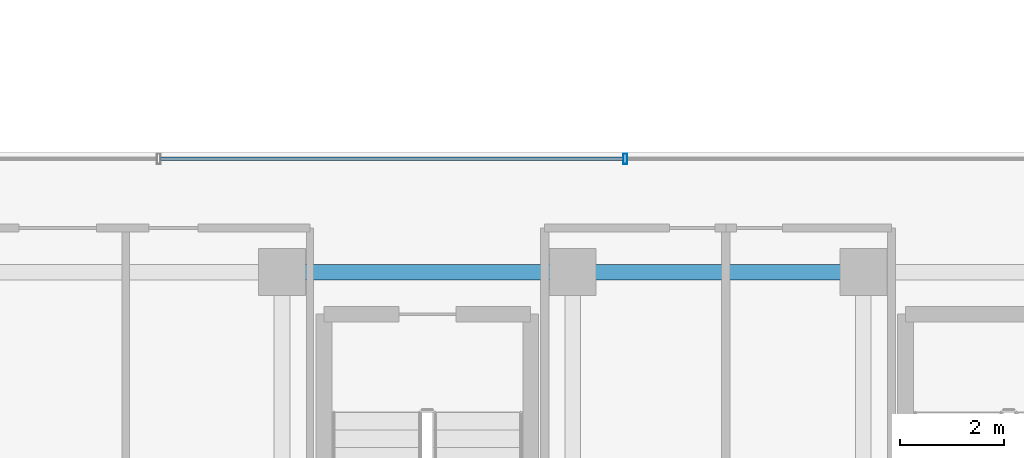
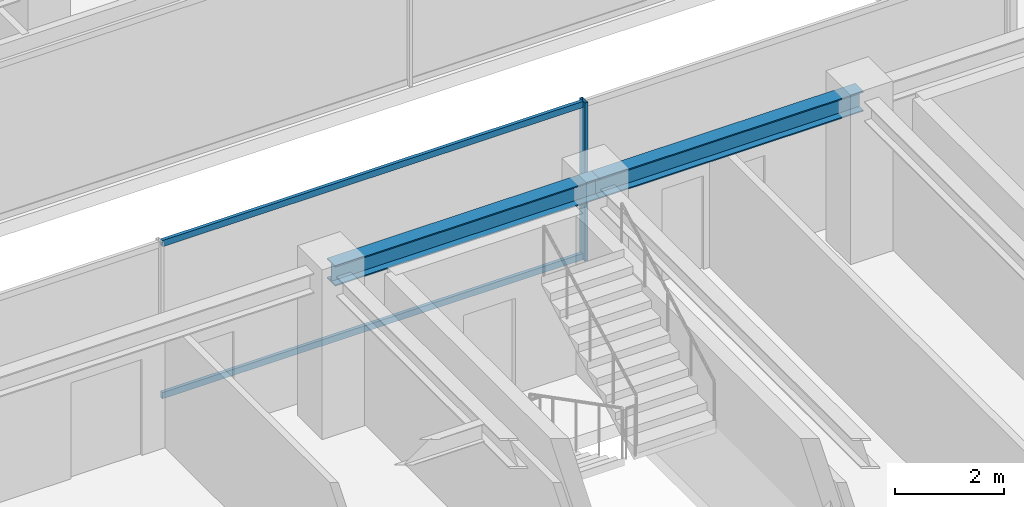
# One storey, part 11 of 37: 3 members, 2 beams, 1 element without a shape of its own.
"""IFC4 building model written with IfcOpenShell, lengths in metres."""

from ifc_helpers import new_model, si_unit, direction, frame, origin, origin_2d, place, context, subcontext, project, spatial, hollow_rectangle, i_section, extrude, source, transform, mapped, material, material_profile, profile_set, type_object, element, aggregate, save


model = new_model("IFC4")

# Units and contexts
model_context = context("Model", 3, precision=1e-05, world=origin(), true_north=direction((0.0, 1.0)))
body_context = subcontext(model_context, "Body", "Model", "MODEL_VIEW")
ifc_project = project(units=[si_unit("LENGTHUNIT", "METRE"), si_unit("AREAUNIT", "SQUARE_METRE"), si_unit("VOLUMEUNIT", "CUBIC_METRE"), si_unit("PLANEANGLEUNIT", "RADIAN"), si_unit("MASSUNIT", "GRAM", prefix="KILO")], contexts=[model_context])

# Site, building, storey
site_placement = place(None, origin())
site = spatial("IfcSite", under=ifc_project, at=site_placement, CompositionType="ELEMENT")
building_placement = place(site_placement, origin())
building = spatial("IfcBuilding", under=site, at=building_placement, Name="Nahalor Promenade Grand Hotel", CompositionType="ELEMENT")
storey_placement = place(building_placement, frame((0.0, 0.0, 292.64990234375)))
storey = spatial("IfcBuildingStorey", under=building, at=storey_placement, Name="L75", CompositionType="ELEMENT", Elevation=292.64990234375)

# Beams
ifc_material_1 = material(Name="Steel S355JR", Category="steel")
ifc_material_profile_1 = material_profile(ifc_material_1, i_section(OverallWidth=0.3, OverallDepth=0.45, WebThickness=0.014, FlangeThickness=0.026, at=origin_2d()), Name="HEB 450")
ifc_profile_set_1 = profile_set([ifc_material_profile_1], Name="Steel S355JR")
beam_type = type_object("IfcBeamType", Name="Beam-Girder-HEB450", PredefinedType="BEAM", material=ifc_profile_set_1)
shared_shape_1 = source(origin(), body_context, "Body", "SweptSolid", [
    extrude(i_section(OverallWidth=0.3, OverallDepth=0.45, WebThickness=0.014, FlangeThickness=0.026, at=origin_2d()), origin(), (0.0, 0.0, 1.0), 5.599853515625),
])
beam_1_placement = place(storey_placement, frame((-8.39990234375, -5.39990234375, 3.3251953125), z_axis=(1.0, 0.0, 0.0), x_axis=(0.0, 1.0, 0.0)))
element("IfcBeam", 1, at=beam_1_placement, inside=storey, type_object=beam_type, Name="BM-L75-GX-1-2", PredefinedType="BEAM", context=body_context, shape_type="MappedRepresentation", body=[
    mapped(shared_shape_1, transform((0.0, 0.0, 0.0), scale=1.0)),
])
shared_shape_2 = source(origin(), body_context, "Body", "SweptSolid", [
    extrude(i_section(OverallWidth=0.3, OverallDepth=0.45, WebThickness=0.014, FlangeThickness=0.026, at=origin_2d()), origin(), (0.0, 0.0, 1.0), 5.60009765625),
])
beam_2_placement = place(storey_placement, frame((-2.800048828125, -5.39990234375, 3.3251953125), z_axis=(1.0, 0.0, 0.0), x_axis=(0.0, 1.0, 0.0)))
element("IfcBeam", 2, at=beam_2_placement, inside=storey, type_object=beam_type, Name="BM-L75-GX-1-3", PredefinedType="BEAM", context=body_context, shape_type="MappedRepresentation", body=[
    mapped(shared_shape_2, transform((0.0, 0.0, 0.0), scale=1.0)),
])

# Curtain wall, members
ifc_material_2 = material(Name="Anodised Bronze Aluminium EN AW-6063 T6", Category="aluminium")
curtain_wall_type = type_object("IfcCurtainWallType", Name="CW3 Elliptical-Void Collar Unitised Curtain Wall", PredefinedType="USERDEFINED", material=ifc_material_2)
curtain_wall_placement = place(storey_placement, origin())
curtain_wall = element("IfcCurtainWall", 3, at=curtain_wall_placement, inside=storey, type_object=curtain_wall_type, Name="L75 Curtain Wall CW-L75-VOID-WS1", ObjectType="UNITISED_CURTAIN_WALL", PredefinedType="USERDEFINED")
ifc_material_profile_2 = material_profile(ifc_material_2, hollow_rectangle(XDim=0.07, YDim=0.14, WallThickness=0.004, at=origin_2d()), Name="CWT 70x140x4")
ifc_profile_set_2 = profile_set([ifc_material_profile_2], Name="Anodised Bronze Aluminium EN AW-6063 T6")
member_type_1 = type_object("IfcMemberType", Name="CWT3 Void Collar Transom 70x140", PredefinedType="USERDEFINED", material=ifc_profile_set_2)
shared_shape_3 = source(origin(), body_context, "Body", "SweptSolid", [
    extrude(hollow_rectangle(XDim=0.07, YDim=0.14, WallThickness=0.004, at=origin_2d()), origin(), (0.0, 0.0, 1.0), 8.91650390625),
])
member_1_placement = place(storey_placement, frame((-10.73828125, -3.219970703125, 0.070068359375), z_axis=(1.0, 0.0, 0.0), x_axis=(0.0, 1.0, 0.0)))
member_1 = element("IfcMember", 4, at=member_1_placement, type_object=member_type_1, Name="CW-L75-VOID-WS1 Transom 1-0", ObjectType="TRANSOM", PredefinedType="USERDEFINED", context=body_context, shape_type="MappedRepresentation", body=[
    mapped(shared_shape_3, transform((0.0, 0.0, 0.0), scale=1.0)),
])
member_2_placement = place(storey_placement, frame((-10.73828125, -3.219970703125, 3.47998046875), z_axis=(1.0, 0.0, 0.0), x_axis=(0.0, 1.0, 0.0)))
member_2 = element("IfcMember", 5, at=member_2_placement, type_object=member_type_1, Name="CW-L75-VOID-WS1 Transom 1-1", ObjectType="TRANSOM", PredefinedType="USERDEFINED", context=body_context, shape_type="MappedRepresentation", body=[
    mapped(shared_shape_3, transform((0.0, 0.0, 0.0), scale=1.0)),
])
ifc_material_profile_3 = material_profile(ifc_material_2, hollow_rectangle(XDim=0.07, YDim=0.2, WallThickness=0.005, at=origin_2d()), Name="CWM 70x200x5")
ifc_profile_set_3 = profile_set([ifc_material_profile_3], Name="Anodised Bronze Aluminium EN AW-6063 T6")
member_type_2 = type_object("IfcMemberType", Name="CWM3 Void Collar Mullion 70x200", PredefinedType="MULLION", material=ifc_profile_set_3)
shared_shape_4 = source(origin(), body_context, "Body", "SweptSolid", [
    extrude(hollow_rectangle(XDim=0.07, YDim=0.2, WallThickness=0.005, at=origin_2d()), origin(), (0.0, 0.0, 1.0), 3.550048828125),
])
member_3_placement = place(storey_placement, frame((-1.78662109375, -3.219970703125, 0.0), z_axis=(0.0, 0.0, 1.0), x_axis=(1.0, 0.0, 0.0)))
member_3 = element("IfcMember", 6, at=member_3_placement, type_object=member_type_2, Name="CW-L75-VOID-WS1 Mullion 2", PredefinedType="MULLION", context=body_context, shape_type="MappedRepresentation", body=[
    mapped(shared_shape_4, transform((0.0, 0.0, 0.0), scale=1.0)),
])
aggregate(curtain_wall, [member_3, member_1, member_2])

save(model, "model.ifc")
